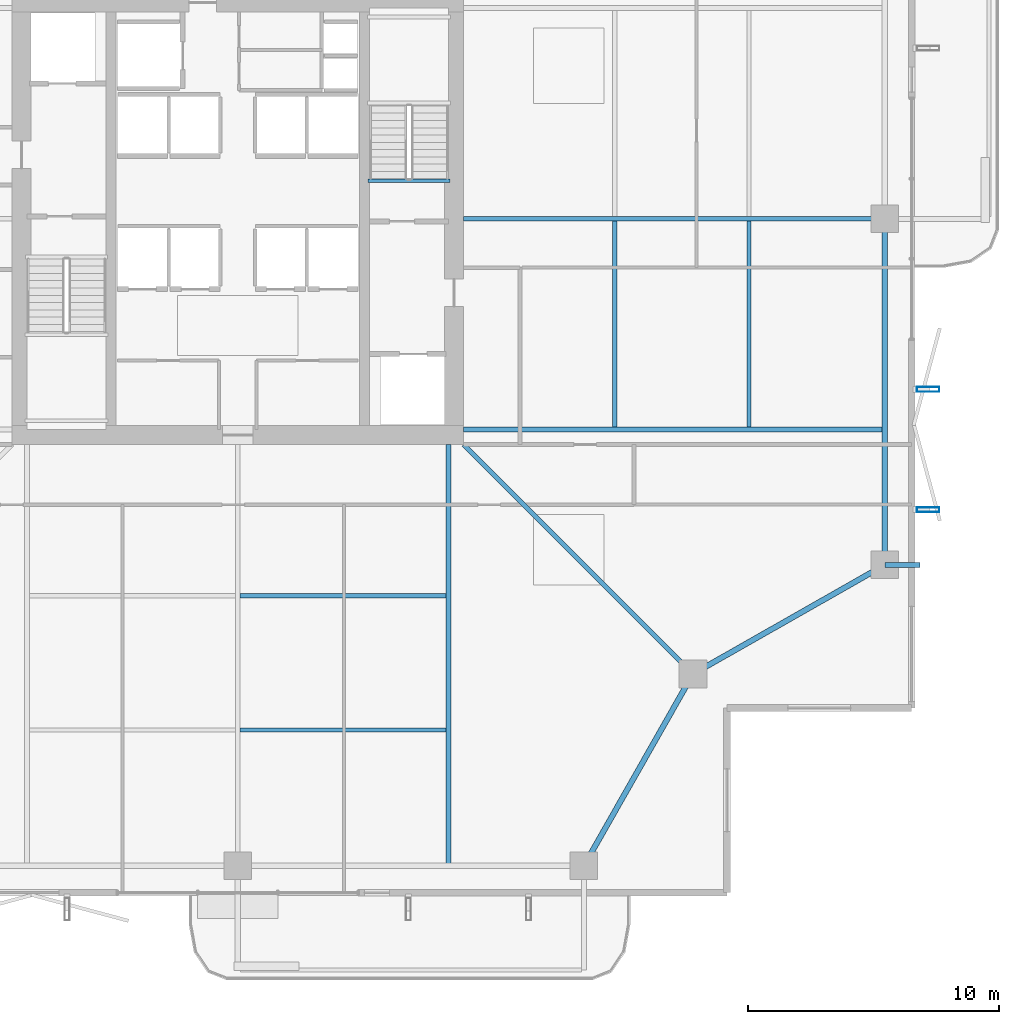
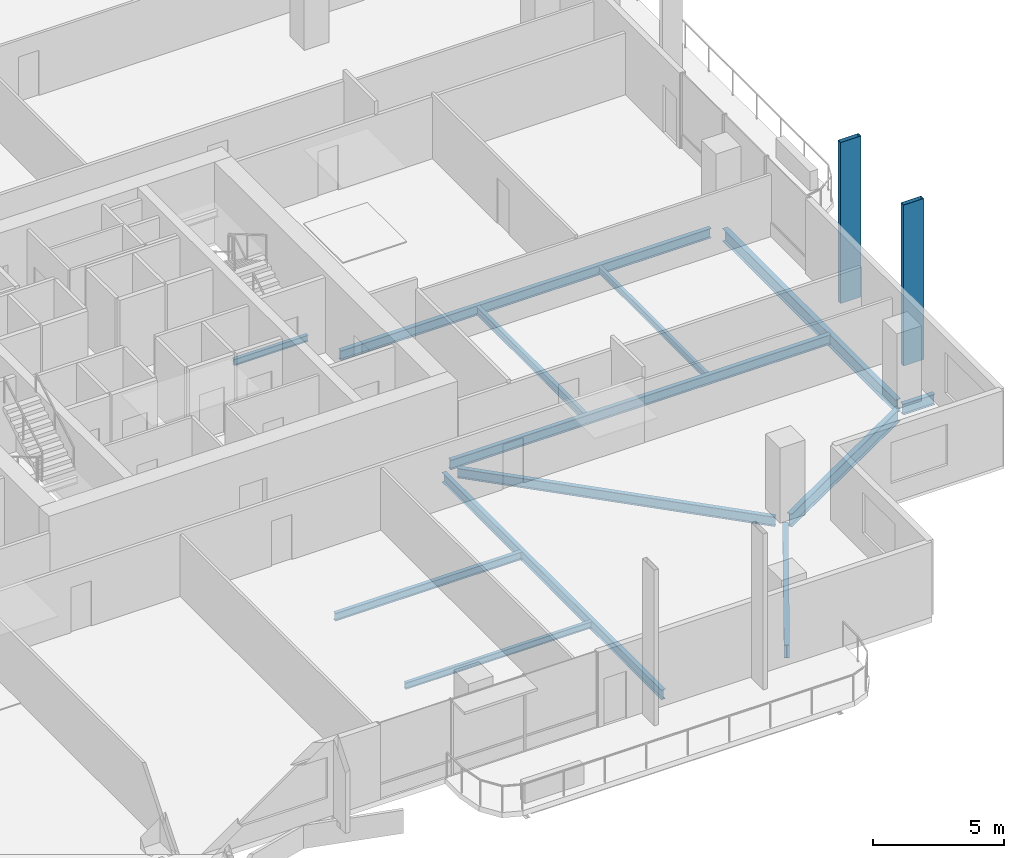
# One storey, part 7 of 24: 13 beams, 2 members.
"""IFC4 building model written with IfcOpenShell, lengths in metres."""

import ifcopenshell
import ifcopenshell.guid

model = None  # the IFC model being written
_history = None  # IfcOwnerHistory: only IFC2X3 demands one
_inside = {}  # id of a spatial element -> (the spatial element, [elements in it])
_under = {}  # id of a project, library or spatial element -> (it, [spatial elements below it])
_declared = {}  # id of a project -> (the project, [libraries it declares])
_typed = {}  # id of a type object -> (the type object, [elements of that type])
_made_of = {}  # id of a material, layer set ... -> (it, [elements and type objects made of it])


def new_model(schema):
    """Start an empty IFC model of exactly this schema.

    Asked for "IFC4X3", IfcOpenShell would pick the latest addendum, in which some entities
    have other attributes; the version numbers below select the first issue.
    IFC2X3 requires an IfcOwnerHistory on every rooted entity: one is made here for all.
    """
    global model, _history
    if schema == "IFC4X3":
        model = ifcopenshell.file(schema_version=(4, 3, 0, 0))
    else:
        model = ifcopenshell.file(schema=schema)
    _inside.clear()
    _under.clear()
    _declared.clear()
    _typed.clear()
    _made_of.clear()
    _history = None
    if model.schema == "IFC2X3":
        org = make("IfcOrganization", Name="unknown")
        user = make(
            "IfcPersonAndOrganization",
            ThePerson=make("IfcPerson", FamilyName="unknown"),
            TheOrganization=org,
        )
        app = make(
            "IfcApplication",
            ApplicationDeveloper=org,
            Version="unknown",
            ApplicationFullName="unknown",
            ApplicationIdentifier="unknown",
        )
        _history = make(
            "IfcOwnerHistory",
            OwningUser=user,
            OwningApplication=app,
            ChangeAction="ADDED",
            CreationDate=0,
        )
    return model


def make(cls, **values):
    """One entity of the class cls with the attributes given. An attribute that is None is left unset."""
    return model.create_entity(
        cls, **{name: value for name, value in values.items() if value is not None}
    )


def rooted(cls, **values):
    """An entity with a GlobalId (a new one), such as an element, a storey or a relation."""
    return make(cls, GlobalId=ifcopenshell.guid.new(), OwnerHistory=_history, **values)


def si_unit(unit_type, name, prefix=None):
    """IfcSIUnit, for example si_unit("LENGTHUNIT", "METRE", prefix="MILLI")."""
    return make("IfcSIUnit", UnitType=unit_type, Prefix=prefix, Name=name)


def assignment(units):
    """IfcUnitAssignment: the units of a project."""
    return None if units is None else make("IfcUnitAssignment", Units=units)


def point(xyz):
    """IfcCartesianPoint."""
    return None if xyz is None else make("IfcCartesianPoint", Coordinates=xyz)


def direction(xyz):
    """IfcDirection."""
    return None if xyz is None else make("IfcDirection", DirectionRatios=xyz)


def frame(location, z_axis=None, x_axis=None):
    """IfcAxis2Placement3D, a coordinate frame: its origin and axes. An axis left out is left unset."""
    return make(
        "IfcAxis2Placement3D",
        Location=point(location),
        Axis=direction(z_axis),
        RefDirection=direction(x_axis),
    )


def frame_2d(location, x_axis=None):
    """IfcAxis2Placement2D, a coordinate frame in the plane: its origin and x axis."""
    return make(
        "IfcAxis2Placement2D", Location=point(location), RefDirection=direction(x_axis)
    )


def origin():
    """The frame at (0, 0, 0) with its axes left unset."""
    return frame((0.0, 0.0, 0.0))


def origin_2d():
    """The frame at (0, 0) in the plane with its x axis left unset."""
    return frame_2d((0.0, 0.0))


def place(relative_to, where):
    """IfcLocalPlacement: puts the frame where relative to a parent placement (None: the world)."""
    return make(
        "IfcLocalPlacement", PlacementRelTo=relative_to, RelativePlacement=where
    )


def context(
    kind, dimensions, precision=None, world=None, true_north=None, identifier=None
):
    """IfcGeometricRepresentationContext, for example the 3D "Model" context."""
    return make(
        "IfcGeometricRepresentationContext",
        ContextIdentifier=identifier,
        ContextType=kind,
        CoordinateSpaceDimension=dimensions,
        Precision=precision,
        WorldCoordinateSystem=world,
        TrueNorth=true_north,
    )


def subcontext(parent, identifier, kind, view, scale=None):
    """IfcGeometricRepresentationSubContext, for example "Body" below "Model"."""
    return make(
        "IfcGeometricRepresentationSubContext",
        ContextIdentifier=identifier,
        ContextType=kind,
        ParentContext=parent,
        TargetScale=scale,
        TargetView=view,
    )


def project(units=None, contexts=None):
    """IfcProject with its units and contexts."""
    return rooted(
        "IfcProject",
        Name="project",
        RepresentationContexts=contexts,
        UnitsInContext=assignment(units),
    )


def spatial(cls, under=None, at=None, **own):
    """A site, building, storey or space (cls), placed at a placement, below another one or the project."""
    s = rooted(cls, ObjectPlacement=at, **own)
    if under is not None:
        _under.setdefault(under.id(), (under, []))[1].append(s)
    return s


def profile(cls, at=None, kind="AREA", **sizes):
    """A parametric profile (cls). Its sizes go by their IFC names, for example OverallWidth=200.0."""
    return make(cls, ProfileType=kind, Position=at, **sizes)


def hollow_rectangle(**sizes):
    """IfcRectangleHollowProfileDef."""
    return profile("IfcRectangleHollowProfileDef", **sizes)


def i_section(**sizes):
    """IfcIShapeProfileDef."""
    return profile("IfcIShapeProfileDef", **sizes)


def extrude(swept, where, along, depth):
    """IfcExtrudedAreaSolid: the profile swept, set in the frame where, extruded along a direction by depth."""
    return make(
        "IfcExtrudedAreaSolid",
        SweptArea=swept,
        Position=where,
        ExtrudedDirection=direction(along),
        Depth=depth,
    )


def shape(context_of_items, identifier, shape_type, items):
    """IfcShapeRepresentation: the items that make up one representation, for example the "Body"."""
    return make(
        "IfcShapeRepresentation",
        ContextOfItems=context_of_items,
        RepresentationIdentifier=identifier,
        RepresentationType=shape_type,
        Items=items,
    )


def material(Name=None, Category=None):
    """IfcMaterial."""
    return make("IfcMaterial", Name=Name, Category=Category)


def material_profile(
    of_material, cross_section, Name=None, Category=None, Priority=None
):
    """IfcMaterialProfile: a cross section and its material."""
    return make(
        "IfcMaterialProfile",
        Name=Name,
        Material=of_material,
        Profile=cross_section,
        Priority=Priority,
        Category=Category,
    )


def profile_set(profiles, Name=None, composite=None):
    """IfcMaterialProfileSet."""
    return make(
        "IfcMaterialProfileSet",
        Name=Name,
        MaterialProfiles=profiles,
        CompositeProfile=composite,
    )


def made_of(thing, what):
    """Note that an element or type object is made of a material, layer set ...; save() writes the relation."""
    if what is not None:
        _made_of.setdefault(what.id(), (what, []))[1].append(thing)
    return thing


def type_object(cls, material=None, **own):
    """A type object (cls), such as IfcWallType, which elements share."""
    return made_of(rooted(cls, **own), material)


def element(
    cls,
    number,
    at=None,
    inside=None,
    cuts=None,
    type_object=None,
    material=None,
    context=None,
    identifier="Body",
    shape_type=None,
    held_by="IfcProductDefinitionShape",
    body=None,
    shapes=None,
    **own,
):
    """One element of the class cls, such as IfcWall. Its Tag is "e" and its number.

    at: its placement. inside: the storey or other place that contains it. cuts: it is an
    opening in that element (IfcRelVoidsElement). A single representation is given by context,
    identifier, shape_type and body (its items); several are given by shapes. held_by: the class
    of the entity that holds the representations. save() writes the other relations.
    """
    e = rooted(cls, Tag="e%d" % number, ObjectPlacement=at, **own)
    if body is not None:
        shapes = [shape(context, identifier, shape_type, body)]
    if shapes is not None:
        e.Representation = make(held_by, Representations=shapes)
    if inside is not None:
        _inside.setdefault(inside.id(), (inside, []))[1].append(e)
    if cuts is not None:
        rooted(
            "IfcRelVoidsElement", RelatingBuildingElement=cuts, RelatedOpeningElement=e
        )
    if type_object is not None:
        _typed.setdefault(type_object.id(), (type_object, []))[1].append(e)
    return made_of(e, material)


def aggregate(whole, parts):
    """IfcRelAggregates: a whole, such as a stair, and the parts it consists of."""
    return rooted("IfcRelAggregates", RelatingObject=whole, RelatedObjects=parts)


def save(model, path):
    """Write the relations noted so far, then the file.

    IfcRelAggregates (storeys below a building ...), IfcRelContainedInSpatialStructure (elements
    in a storey), IfcRelDefinesByType, IfcRelAssociatesMaterial and IfcRelDeclares: one each for
    every whole, place, type object, material and project.
    """
    for whole, parts in _under.values():
        aggregate(whole, parts)
    for where, things in _inside.values():
        rooted(
            "IfcRelContainedInSpatialStructure",
            RelatedElements=things,
            RelatingStructure=where,
        )
    for kind, things in _typed.values():
        rooted("IfcRelDefinesByType", RelatedObjects=things, RelatingType=kind)
    for what, things in _made_of.values():
        rooted("IfcRelAssociatesMaterial", RelatedObjects=things, RelatingMaterial=what)
    for by, libraries in _declared.values():
        rooted("IfcRelDeclares", RelatingContext=by, RelatedDefinitions=libraries)
    model.write(path)


model = new_model("IFC4")

# Units and contexts
model_context = context("Model", 3, precision=1e-05, world=origin(), true_north=direction((0.0, 1.0)))
body_context = subcontext(model_context, "Body", "Model", "MODEL_VIEW")
ifc_project = project(units=[si_unit("LENGTHUNIT", "METRE"), si_unit("AREAUNIT", "SQUARE_METRE"), si_unit("VOLUMEUNIT", "CUBIC_METRE"), si_unit("PLANEANGLEUNIT", "RADIAN"), si_unit("MASSUNIT", "GRAM", prefix="KILO")], contexts=[model_context])

# Site, building, storey
site_placement = place(None, origin())
site = spatial("IfcSite", under=ifc_project, at=site_placement, CompositionType="ELEMENT")
building_placement = place(site_placement, origin())
building = spatial("IfcBuilding", under=site, at=building_placement, Name="Belovzor Exchange Tower", CompositionType="ELEMENT")
storey_placement = place(building_placement, frame((0.0, 0.0, 233.699951171875)))
storey = spatial("IfcBuildingStorey", under=building, at=storey_placement, Name="L58", CompositionType="ELEMENT", Elevation=233.699951171875)

# Beams
ifc_material_1 = material(Name="Steel S355", Category="steel")
ifc_material_profile_1 = material_profile(ifc_material_1, i_section(OverallWidth=0.199951171875, OverallDepth=0.5, WebThickness=0.01025390625, FlangeThickness=0.01611328125, at=origin_2d()))
ifc_profile_set_1 = profile_set([ifc_material_profile_1], Name="Steel S355")
beam_type_1 = type_object("IfcBeamType", Name="Planted Balcony Cantilever Beam IPE 500", PredefinedType="BEAM", material=ifc_profile_set_1)
beam_1_placement = place(storey_placement, frame((54.60009765625, 15.0, -0.5), z_axis=(1.0, 0.0, 0.0), x_axis=(0.0, 1.0, 0.0)))
element("IfcBeam", 1, at=beam_1_placement, inside=storey, type_object=beam_type_1, Name="BC-500 Planted Balcony Cantilever Beam IPE 500", PredefinedType="BEAM", context=body_context, shape_type="SweptSolid", body=[
    extrude(i_section(OverallWidth=0.199951171875, OverallDepth=0.5, WebThickness=0.01025390625, FlangeThickness=0.01611328125, at=origin_2d()), origin(), (0.0, 0.0, 1.0), 1.39990234375),
])
ifc_material_2 = material(Name="Steel S355", Category="steel")
ifc_material_profile_2 = material_profile(ifc_material_2, i_section(OverallWidth=0.169921875, OverallDepth=0.360107421875, WebThickness=0.008056640625, FlangeThickness=0.0126953125, at=origin_2d()))
ifc_profile_set_2 = profile_set([ifc_material_profile_2], Name="Steel S355")
beam_type_2 = type_object("IfcBeamType", Name="Secondary Infill Floor Joist IPE 360", PredefinedType="BEAM", material=ifc_profile_set_2)
for number, where, z_axis, x_axis, name in (
    (2, (28.89501953125, 13.77197265625, -0.429931640625), (1.0, 0.0, 0.0), (0.0, 1.0, 0.0), "FJ-360 Secondary Infill Floor Joist IPE 360"),
    (3, (43.827880859375, 20.4951171875, -0.429931640625), (0.0, 1.0, 0.0), (-1.0, 0.0, 0.0), "FJ-360 Secondary Infill Floor Joist IPE 360"),
):
    element("IfcBeam", number, at=place(storey_placement, frame(where, z_axis=z_axis, x_axis=x_axis)), inside=storey, type_object=beam_type_2, Name=name, PredefinedType="BEAM", context=body_context, shape_type="SweptSolid", body=[
        extrude(i_section(OverallWidth=0.169921875, OverallDepth=0.360107421875, WebThickness=0.008056640625, FlangeThickness=0.0126953125, at=origin_2d()), origin(), (0.0, 0.0, 1.0), 8.2099609375),
    ])
ifc_material_3 = material(Name="Steel S355", Category="steel")
ifc_material_profile_3 = material_profile(ifc_material_3, i_section(OverallWidth=0.14990234375, OverallDepth=0.300048828125, WebThickness=0.007080078125, FlangeThickness=0.0107421875, at=origin_2d()))
ifc_profile_set_3 = profile_set([ifc_material_profile_3], Name="Steel S355")
beam_type_3 = type_object("IfcBeamType", Name="Secondary Trim Floor Joist IPE 300", PredefinedType="BEAM", material=ifc_profile_set_3)
beam_2_placement = place(storey_placement, frame((37.260009765625, 30.320068359375, -0.39990234375), z_axis=(-1.0, 0.0, 0.0), x_axis=(0.0, -1.0, 0.0)))
element("IfcBeam", 4, at=beam_2_placement, inside=storey, type_object=beam_type_3, Name="FJ-300 Secondary Trim Floor Joist IPE 300", PredefinedType="BEAM", context=body_context, shape_type="SweptSolid", body=[
    extrude(i_section(OverallWidth=0.14990234375, OverallDepth=0.300048828125, WebThickness=0.007080078125, FlangeThickness=0.0107421875, at=origin_2d()), origin(), (0.0, 0.0, 1.0), 3.27001953125),
])
for number, where, z_axis, x_axis, name in (
    (5, (28.89501953125, 8.4130859375, -0.39990234375), (1.0, 0.0, 0.0), (0.0, 1.0, 0.0), "FJ-300 Secondary Trim Floor Joist IPE 300"),
    (6, (49.18701171875, 20.4951171875, -0.39990234375), (0.0, 1.0, 0.0), (-1.0, 0.0, 0.0), "FJ-300 Secondary Trim Floor Joist IPE 300"),
):
    element("IfcBeam", number, at=place(storey_placement, frame(where, z_axis=z_axis, x_axis=x_axis)), inside=storey, type_object=beam_type_3, Name=name, PredefinedType="BEAM", context=body_context, shape_type="SweptSolid", body=[
        extrude(i_section(OverallWidth=0.14990234375, OverallDepth=0.300048828125, WebThickness=0.007080078125, FlangeThickness=0.0107421875, at=origin_2d()), origin(), (0.0, 0.0, 1.0), 8.2099609375),
    ])

# Members
ifc_material_4 = material(Name="Extruded Architectural Terracotta on Steel S355 Carrier", Category="masonry")
ifc_material_profile_4 = material_profile(ifc_material_4, hollow_rectangle(XDim=0.199951171875, YDim=0.89990234375, WallThickness=0.011962890625, at=origin_2d()))
ifc_profile_set_4 = profile_set([ifc_material_profile_4], Name="Extruded Architectural Terracotta on Steel S355 Carrier")
member_type = type_object("IfcMemberType", Name="Sweeping Terracotta Baguette Fin Assembly 950", PredefinedType="USERDEFINED", material=ifc_profile_set_4)
for number, where, z_axis, x_axis, name in (
    (7, (56.324951171875, 17.199951171875, -0.25), (0.0, 0.0, 1.0), (0.0, 1.0, 0.0), "FIN-TC095 Terracotta Facade Fin L58 E1"),
    (8, (56.324951171875, 22.0, -0.25), (0.0, 0.0, 1.0), (0.0, 1.0, 0.0), "FIN-TC095 Terracotta Facade Fin L58 E2"),
):
    element("IfcMember", number, at=place(storey_placement, frame(where, z_axis=z_axis, x_axis=x_axis)), inside=storey, type_object=member_type, Name=name, ObjectType="FIN", PredefinedType="USERDEFINED", context=body_context, shape_type="SweptSolid", body=[
        extrude(hollow_rectangle(XDim=0.199951171875, YDim=0.89990234375, WallThickness=0.011962890625, at=origin_2d()), origin(), (0.0, 0.0, 1.0), 7.5),
    ])

# Beams
ifc_material_5 = material(Name="Steel S355", Category="steel")
ifc_material_profile_5 = material_profile(ifc_material_5, i_section(OverallWidth=0.18994140625, OverallDepth=0.449951171875, WebThickness=0.009521484375, FlangeThickness=0.0146484375, at=origin_2d()))
ifc_profile_set_5 = profile_set([ifc_material_profile_5], Name="Steel S355")
beam_type_4 = type_object("IfcBeamType", Name="Zone 2-4 Radial Composite Floor Beam IPE 450", PredefinedType="BEAM", material=ifc_profile_set_5)
beam_3_placement = place(storey_placement, frame((37.199951171875, 19.800048828125, -0.474853515625), z_axis=(0.0, -1.0, 0.0), x_axis=(1.0, 0.0, 0.0)))
element("IfcBeam", 9, at=beam_3_placement, inside=storey, type_object=beam_type_4, Name="FB-450 Zone 2-4 Radial Composite Floor Beam IPE 450", PredefinedType="BEAM", context=body_context, shape_type="SweptSolid", body=[
    extrude(i_section(OverallWidth=0.18994140625, OverallDepth=0.449951171875, WebThickness=0.009521484375, FlangeThickness=0.0146484375, at=origin_2d()), origin(), (0.0, 0.0, 1.0), 16.7451171875),
])
beam_4_placement = place(storey_placement, frame((37.800048828125, 20.39990234375, -0.474853515625), z_axis=(1.0, 0.0, 0.0), x_axis=(0.0, 1.0, 0.0)))
element("IfcBeam", 10, at=beam_4_placement, inside=storey, type_object=beam_type_4, Name="FB-450 Zone 2-4 Radial Composite Floor Beam IPE 450", PredefinedType="BEAM", context=body_context, shape_type="SweptSolid", body=[
    extrude(i_section(OverallWidth=0.18994140625, OverallDepth=0.449951171875, WebThickness=0.009521484375, FlangeThickness=0.0146484375, at=origin_2d()), origin(), (0.0, 0.0, 1.0), 16.744873046875),
])
beam_5_placement = place(storey_placement, frame((37.800048828125, 28.800048828125, -0.474853515625), z_axis=(1.0, 0.0, 0.0), x_axis=(0.0, 1.0, 0.0)))
element("IfcBeam", 11, at=beam_5_placement, inside=storey, type_object=beam_type_4, Name="FB-450 Zone 2-4 Radial Composite Floor Beam IPE 450", PredefinedType="BEAM", context=body_context, shape_type="SweptSolid", body=[
    extrude(i_section(OverallWidth=0.18994140625, OverallDepth=0.449951171875, WebThickness=0.009521484375, FlangeThickness=0.0146484375, at=origin_2d()), origin(), (0.0, 0.0, 1.0), 16.31591796875),
])
beam_6_placement = place(storey_placement, frame((37.800048828125, 19.800048828125, -0.474853515625), z_axis=(0.707106781187, -0.707106781187, 0.0), x_axis=(0.707106781187, 0.707106781187, 0.0)))
element("IfcBeam", 12, at=beam_6_placement, inside=storey, type_object=beam_type_4, Name="FB-450 Zone 2-4 Radial Composite Floor Beam IPE 450", PredefinedType="BEAM", context=body_context, shape_type="SweptSolid", body=[
    extrude(i_section(OverallWidth=0.18994140625, OverallDepth=0.449951171875, WebThickness=0.009521484375, FlangeThickness=0.0146484375, at=origin_2d()), origin(), (0.0, 0.0, 1.0), 12.551025390625),
])
ifc_material_6 = material(Name="Steel S355", Category="steel")
ifc_material_profile_6 = material_profile(ifc_material_6, i_section(OverallWidth=0.219970703125, OverallDepth=0.60009765625, WebThickness=0.011962890625, FlangeThickness=0.01904296875, at=origin_2d()))
ifc_profile_set_6 = profile_set([ifc_material_profile_6], Name="Steel S355")
beam_type_5 = type_object("IfcBeamType", Name="Zone 4 Flare Primary Girder IPE 600", PredefinedType="BEAM", material=ifc_profile_set_6)
for number, where, z_axis, x_axis, name in (
    (13, (42.75, 3.262939453125, -0.550048828125), (0.494222323641, 0.869335547884, 0.0), (-0.869335547884, 0.494222323641, 0.0), "FG-Z4 Zone 4 Flare Primary Girder IPE 600"),
    (14, (47.212890625, 10.800048828125, -0.550048828125), (0.869335547884, 0.494222323641, 0.0), (-0.494222323641, 0.869335547884, 0.0), "FG-Z4 Zone 4 Flare Primary Girder IPE 600"),
):
    element("IfcBeam", number, at=place(storey_placement, frame(where, z_axis=z_axis, x_axis=x_axis)), inside=storey, type_object=beam_type_5, Name=name, PredefinedType="BEAM", context=body_context, shape_type="SweptSolid", body=[
        extrude(i_section(OverallWidth=0.219970703125, OverallDepth=0.60009765625, WebThickness=0.011962890625, FlangeThickness=0.01904296875, at=origin_2d()), origin(), (0.0, 0.0, 1.0), 8.19482421875),
    ])
beam_7_placement = place(storey_placement, frame((54.60009765625, 15.302978515625, -0.550048828125), z_axis=(0.0, 1.0, 0.0), x_axis=(-1.0, 0.0, 0.0)))
element("IfcBeam", 15, at=beam_7_placement, inside=storey, type_object=beam_type_5, Name="FG-Z4 Zone 4 Flare Primary Girder IPE 600", PredefinedType="BEAM", context=body_context, shape_type="SweptSolid", body=[
    extrude(i_section(OverallWidth=0.219970703125, OverallDepth=0.60009765625, WebThickness=0.011962890625, FlangeThickness=0.01904296875, at=origin_2d()), origin(), (0.0, 0.0, 1.0), 13.195068359375),
])

save(model, "model.ifc")
